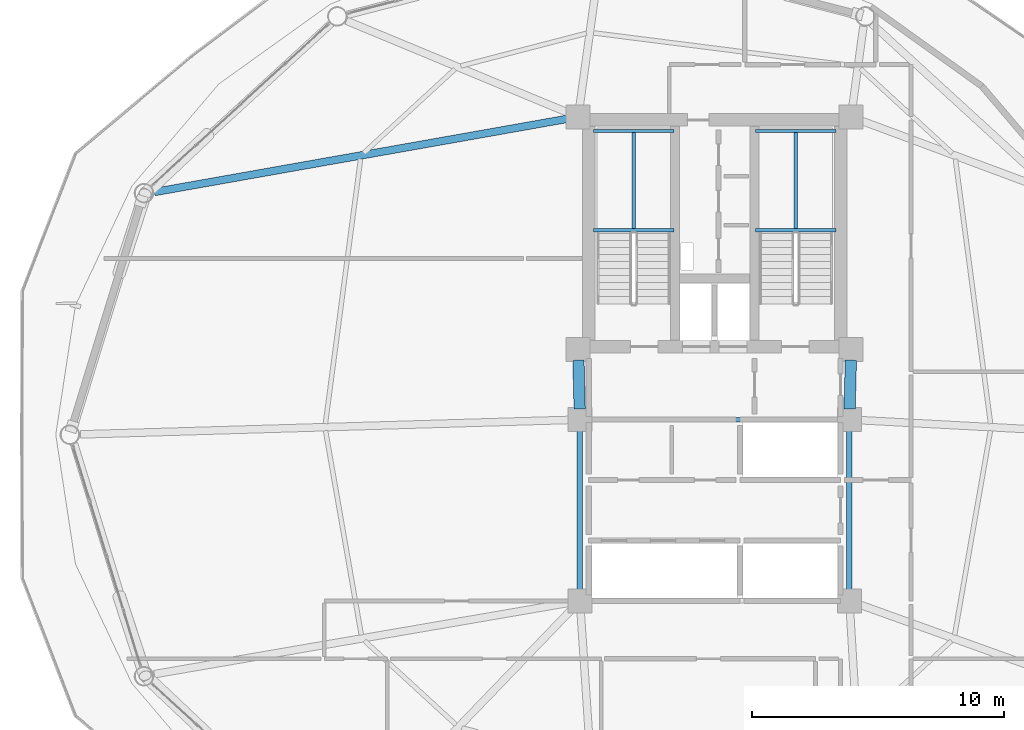
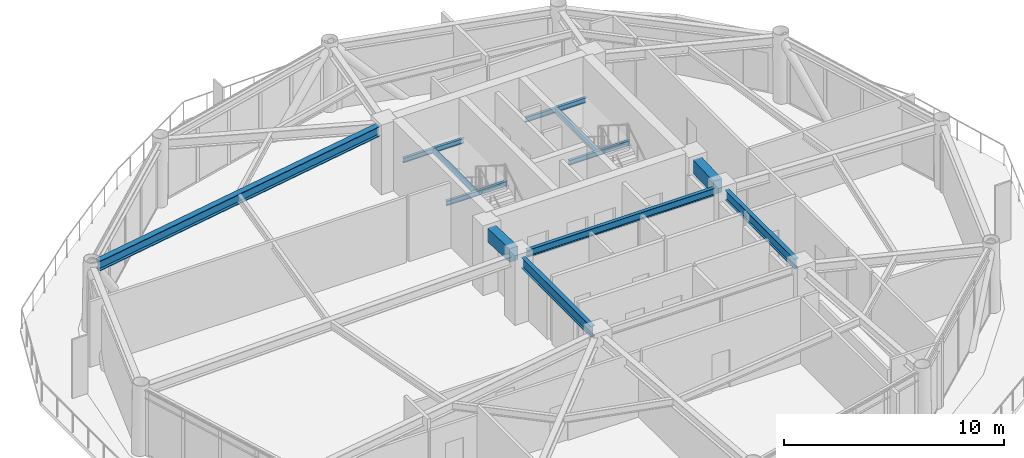
# One storey, part 11 of 23: 12 beams.
"""IFC4 building model written with IfcOpenShell, lengths in metres."""

from ifc_helpers import new_model, si_unit, direction, frame, origin, origin_2d, place, context, subcontext, project, spatial, rectangle, i_section, extrude, material, material_profile, profile_set, type_object, element, save


model = new_model("IFC4")

# Units and contexts
model_context = context("Model", 3, precision=1e-05, world=origin(), true_north=direction((0.0, 1.0)))
body_context = subcontext(model_context, "Body", "Model", "MODEL_VIEW")
ifc_project = project(units=[si_unit("LENGTHUNIT", "METRE"), si_unit("AREAUNIT", "SQUARE_METRE"), si_unit("VOLUMEUNIT", "CUBIC_METRE"), si_unit("PLANEANGLEUNIT", "RADIAN"), si_unit("MASSUNIT", "GRAM", prefix="KILO")], contexts=[model_context])

# Site, building, storey
site_placement = place(None, origin())
site = spatial("IfcSite", under=ifc_project, at=site_placement, CompositionType="ELEMENT")
building_placement = place(site_placement, origin())
building = spatial("IfcBuilding", under=site, at=building_placement, Name="Varnakorn Sky Granary", CompositionType="ELEMENT")
storey_placement = place(building_placement, frame((0.0, 0.0, 130.5)))
storey = spatial("IfcBuildingStorey", under=building, at=storey_placement, Name="L32", CompositionType="ELEMENT", Elevation=130.5)

# Beams
ifc_material_1 = material(Name="Steel S355JR", Category="steel")
ifc_material_profile_1 = material_profile(ifc_material_1, i_section(OverallWidth=0.2099609375, OverallDepth=0.550048828125, WebThickness=0.010986328125, FlangeThickness=0.01708984375, at=origin_2d()), Name="IPE 550")
ifc_profile_set_1 = profile_set([ifc_material_profile_1], Name="Steel S355JR")
beam_type_1 = type_object("IfcBeamType", Name="BM-JST-550", PredefinedType="JOIST", material=ifc_profile_set_1)
beam_1_placement = place(storey_placement, frame((8.35009765625, 0.179931640625, 3.364990234375), z_axis=(0.0, -1.0, 0.0), x_axis=(1.0, 0.0, 0.0)))
element("IfcBeam", 1, at=beam_1_placement, inside=storey, type_object=beam_type_1, Name="Core Spine Framing Beam 4 L32", PredefinedType="JOIST", context=body_context, shape_type="SweptSolid", body=[
    extrude(i_section(OverallWidth=0.2099609375, OverallDepth=0.550048828125, WebThickness=0.010986328125, FlangeThickness=0.01708984375, at=origin_2d()), origin(), (0.0, 0.0, 1.0), 6.35986328125),
])
ifc_material_profile_2 = material_profile(ifc_material_1, i_section(OverallWidth=0.219970703125, OverallDepth=0.60009765625, WebThickness=0.011962890625, FlangeThickness=0.01904296875, at=origin_2d()), Name="IPE 600")
ifc_profile_set_2 = profile_set([ifc_material_profile_2], Name="Steel S355JR")
beam_type_2 = type_object("IfcBeamType", Name="BM-JST-600", PredefinedType="JOIST", material=ifc_profile_set_2)
beam_2_placement = place(storey_placement, frame((-2.35009765625, 0.179931640625, 3.340087890625), z_axis=(0.0, -1.0, 0.0), x_axis=(1.0, 0.0, 0.0)))
element("IfcBeam", 2, at=beam_2_placement, inside=storey, type_object=beam_type_2, Name="Core Spine Framing Beam 3 L32", PredefinedType="JOIST", context=body_context, shape_type="SweptSolid", body=[
    extrude(i_section(OverallWidth=0.219970703125, OverallDepth=0.60009765625, WebThickness=0.011962890625, FlangeThickness=0.01904296875, at=origin_2d()), origin(), (0.0, 0.0, 1.0), 6.35986328125),
])
ifc_material_2 = material(Name="Concrete C60/75", Category="concrete")
ifc_material_profile_3 = material_profile(ifc_material_2, rectangle(XDim=0.449951171875, YDim=0.75, at=origin_2d()), Name="RC 450x750")
ifc_profile_set_3 = profile_set([ifc_material_profile_3], Name="Concrete C60/75")
beam_type_3 = type_object("IfcBeamType", Name="BM-LIN-750", PredefinedType="LINTEL", material=ifc_profile_set_3)
for number, where, z_axis, x_axis, name in (
    (3, (-2.409423828125, 2.960205078125, 3.264892578125), (0.025158763514, -0.999683468213, 0.0), (0.999683468213, 0.025158763514, 0.0), "Core Spine Framing Beam 1 L32"),
    (4, (8.409423828125, 2.960205078125, 3.264892578125), (-0.025158763514, -0.999683468213, 0.0), (0.999683468213, -0.025158763514, 0.0), "Core Spine Framing Beam 2 L32"),
):
    element("IfcBeam", number, at=place(storey_placement, frame(where, z_axis=z_axis, x_axis=x_axis)), inside=storey, type_object=beam_type_3, Name=name, PredefinedType="LINTEL", context=body_context, shape_type="SweptSolid", body=[
        extrude(rectangle(XDim=0.449951171875, YDim=0.75, at=origin_2d()), origin(), (0.0, 0.0, 1.0), 1.94091796875),
    ])
ifc_material_profile_4 = material_profile(ifc_material_1, i_section(OverallWidth=0.135009765625, OverallDepth=0.27001953125, WebThickness=0.006591796875, FlangeThickness=0.01025390625, at=origin_2d()), Name="IPE 270")
ifc_profile_set_4 = profile_set([ifc_material_profile_4], Name="Steel S355JR")
beam_type_4 = type_object("IfcBeamType", Name="BM-LND-270", PredefinedType="BEAM", material=ifc_profile_set_4)
for number, where, z_axis, x_axis, name in (
    (5, (-1.820068359375, 8.1201171875, 1.614990234375), (1.0, 0.0, 0.0), (0.0, 1.0, 0.0), "Stair ST-1 Landing Trimmer Beam A L32-1"),
    (6, (-1.820068359375, 12.06005859375, 1.614990234375), (1.0, 0.0, 0.0), (0.0, 1.0, 0.0), "Stair ST-1 Landing Trimmer Beam B L32-1"),
):
    element("IfcBeam", number, at=place(storey_placement, frame(where, z_axis=z_axis, x_axis=x_axis)), inside=storey, type_object=beam_type_4, Name=name, PredefinedType="BEAM", context=body_context, shape_type="SweptSolid", body=[
        extrude(i_section(OverallWidth=0.135009765625, OverallDepth=0.27001953125, WebThickness=0.006591796875, FlangeThickness=0.01025390625, at=origin_2d()), origin(), (0.0, 0.0, 1.0), 3.199951171875),
    ])
beam_3_placement = place(storey_placement, frame((-0.219970703125, 8.1201171875, 1.614990234375), z_axis=(0.0, 1.0, 0.0), x_axis=(-1.0, 0.0, 0.0)))
element("IfcBeam", 7, at=beam_3_placement, inside=storey, type_object=beam_type_4, Name="Stair ST-1 Landing Cross Beam C L32-1", PredefinedType="BEAM", context=body_context, shape_type="SweptSolid", body=[
    extrude(i_section(OverallWidth=0.135009765625, OverallDepth=0.27001953125, WebThickness=0.006591796875, FlangeThickness=0.01025390625, at=origin_2d()), origin(), (0.0, 0.0, 1.0), 3.93994140625),
])
for number, where, z_axis, x_axis, name in (
    (8, (4.6201171875, 8.1201171875, 1.614990234375), (1.0, 0.0, 0.0), (0.0, 1.0, 0.0), "Stair ST-2 Landing Trimmer Beam A L32-1"),
    (9, (4.6201171875, 12.06005859375, 1.614990234375), (1.0, 0.0, 0.0), (0.0, 1.0, 0.0), "Stair ST-2 Landing Trimmer Beam B L32-1"),
):
    element("IfcBeam", number, at=place(storey_placement, frame(where, z_axis=z_axis, x_axis=x_axis)), inside=storey, type_object=beam_type_4, Name=name, PredefinedType="BEAM", context=body_context, shape_type="SweptSolid", body=[
        extrude(i_section(OverallWidth=0.135009765625, OverallDepth=0.27001953125, WebThickness=0.006591796875, FlangeThickness=0.01025390625, at=origin_2d()), origin(), (0.0, 0.0, 1.0), 3.199951171875),
    ])
beam_4_placement = place(storey_placement, frame((6.219970703125, 8.1201171875, 1.614990234375), z_axis=(0.0, 1.0, 0.0), x_axis=(-1.0, 0.0, 0.0)))
element("IfcBeam", 10, at=beam_4_placement, inside=storey, type_object=beam_type_4, Name="Stair ST-2 Landing Cross Beam C L32-1", PredefinedType="BEAM", context=body_context, shape_type="SweptSolid", body=[
    extrude(i_section(OverallWidth=0.135009765625, OverallDepth=0.27001953125, WebThickness=0.006591796875, FlangeThickness=0.01025390625, at=origin_2d()), origin(), (0.0, 0.0, 1.0), 3.93994140625),
])
ifc_material_profile_5 = material_profile(ifc_material_1, i_section(OverallWidth=0.300048828125, OverallDepth=0.550048828125, WebThickness=0.014892578125, FlangeThickness=0.029052734375, at=origin_2d()), Name="HE 550 B")
ifc_profile_set_5 = profile_set([ifc_material_profile_5], Name="Steel S355JR")
beam_type_5 = type_object("IfcBeamType", Name="BM-RAD-Z3", PredefinedType="BEAM", material=ifc_profile_set_5)
beam_5_placement = place(storey_placement, frame((-2.83349609375, 12.546630859375, 3.364990234375), z_axis=(-0.984647952335, -0.174552026523, 0.0), x_axis=(0.174552026523, -0.984647952335, 0.0)))
element("IfcBeam", 11, at=beam_5_placement, inside=storey, type_object=beam_type_5, Name="Radial Floor Girder RG06 L32", PredefinedType="BEAM", context=body_context, shape_type="SweptSolid", body=[
    extrude(i_section(OverallWidth=0.300048828125, OverallDepth=0.550048828125, WebThickness=0.014892578125, FlangeThickness=0.029052734375, at=origin_2d()), origin(), (0.0, 0.0, 1.0), 16.675048828125),
])
ifc_material_profile_6 = material_profile(ifc_material_1, i_section(OverallWidth=0.179931640625, OverallDepth=0.39990234375, WebThickness=0.008544921875, FlangeThickness=0.013427734375, at=origin_2d()), Name="IPE 400")
ifc_profile_set_6 = profile_set([ifc_material_profile_6], Name="Steel S355JR")
beam_type_6 = type_object("IfcBeamType", Name="BM-SEC-Z3", PredefinedType="BEAM", material=ifc_profile_set_6)
beam_6_placement = place(storey_placement, frame((-1.929931640625, 0.60009765625, 3.43994140625), z_axis=(1.0, 0.0, 0.0), x_axis=(0.0, 1.0, 0.0)))
element("IfcBeam", 12, at=beam_6_placement, inside=storey, type_object=beam_type_6, Name="Core Spine Framing Beam 5 L32", PredefinedType="BEAM", context=body_context, shape_type="SweptSolid", body=[
    extrude(i_section(OverallWidth=0.179931640625, OverallDepth=0.39990234375, WebThickness=0.008544921875, FlangeThickness=0.013427734375, at=origin_2d()), origin(), (0.0, 0.0, 1.0), 9.85986328125),
])

save(model, "model.ifc")
